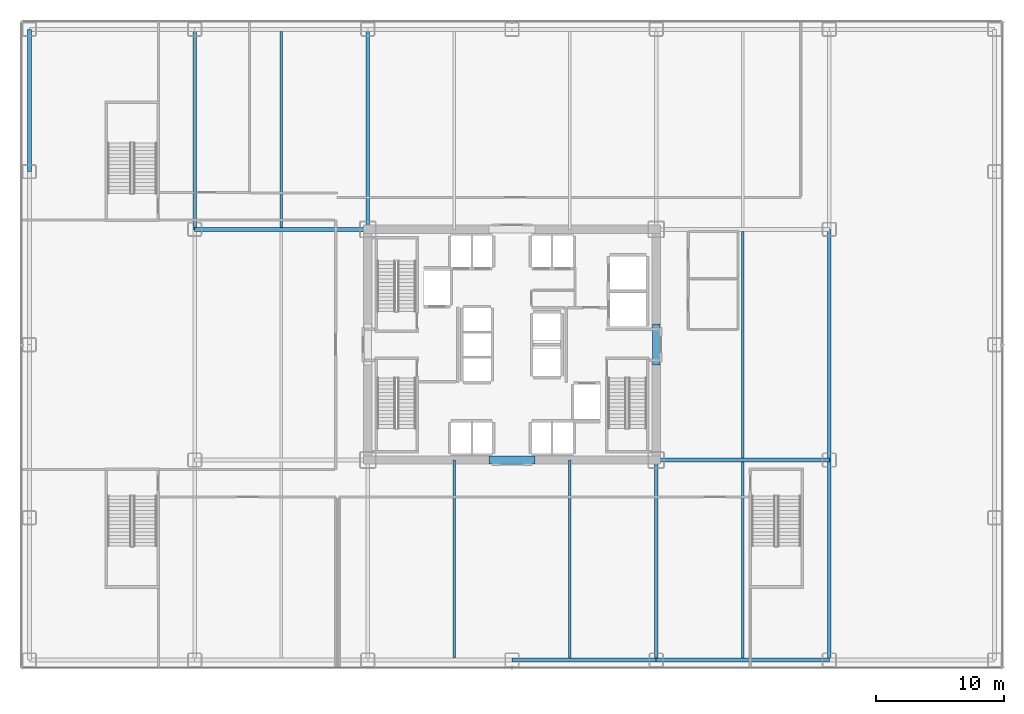
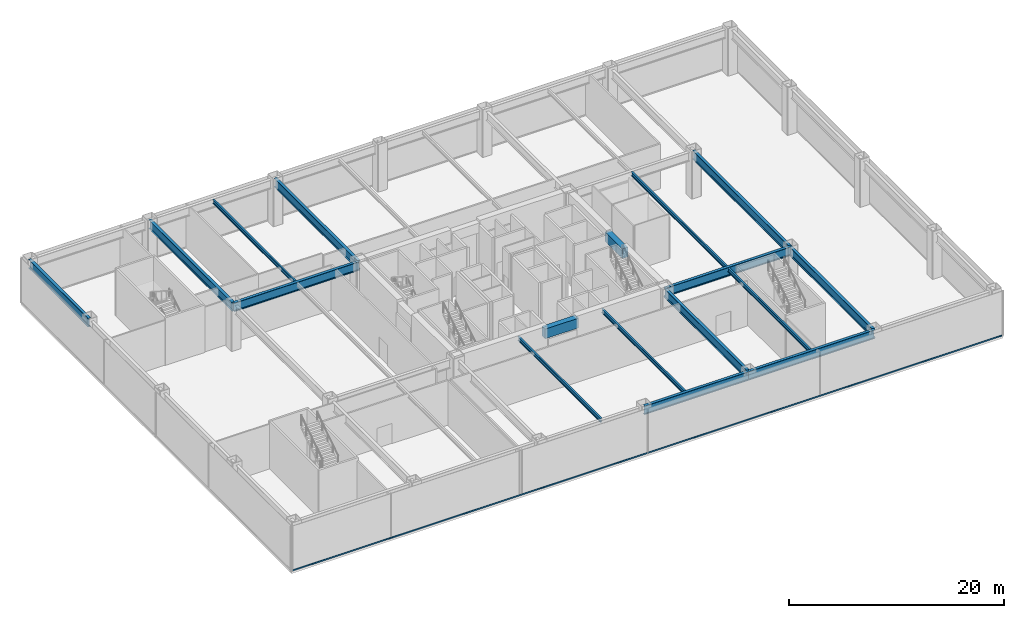
# One storey, part 7 of 24: 17 beams, 1 member, 1 element without a shape of its own.
"""IFC4 building model written with IfcOpenShell, lengths in metres."""

from ifc_helpers import new_model, si_unit, direction, frame, origin, origin_2d, place, context, subcontext, project, spatial, rectangle, hollow_rectangle, i_section, extrude, source, transform, mapped, material, layer, layer_set, material_profile, profile_set, type_object, element, aggregate, save


model = new_model("IFC4")

# Units and contexts
model_context = context("Model", 3, precision=1e-05, world=origin(), true_north=direction((0.0, 1.0)))
body_context = subcontext(model_context, "Body", "Model", "MODEL_VIEW")
ifc_project = project(units=[si_unit("LENGTHUNIT", "METRE"), si_unit("AREAUNIT", "SQUARE_METRE"), si_unit("VOLUMEUNIT", "CUBIC_METRE"), si_unit("PLANEANGLEUNIT", "RADIAN"), si_unit("MASSUNIT", "GRAM", prefix="KILO")], contexts=[model_context])

# Site, building, storey
site_placement = place(None, origin())
site = spatial("IfcSite", under=ifc_project, at=site_placement, CompositionType="ELEMENT")
building_placement = place(site_placement, origin())
building = spatial("IfcBuilding", under=site, at=building_placement, Name="Nefas-Gora Pilgrimage Tower", CompositionType="ELEMENT")
storey_placement = place(building_placement, frame((0.0, 0.0, 6.0)))
storey = spatial("IfcBuildingStorey", under=building, at=storey_placement, Name="L01", CompositionType="ELEMENT", Elevation=6.0)

# Beams
ifc_material_1 = material(Name="Concrete C60/75", Category="concrete")
ifc_material_profile_1 = material_profile(ifc_material_1, rectangle(XDim=0.60009765625, YDim=1.10009765625, at=origin_2d()), Name="RC 600x1100")
ifc_profile_set_1 = profile_set([ifc_material_profile_1], Name="Concrete C60/75")
beam_type_1 = type_object("IfcBeamType", Name="BM-LIN-RC1100", PredefinedType="LINTEL", material=ifc_profile_set_1)
shared_shape_1 = source(origin(), body_context, "Body", "SweptSolid", [
    extrude(rectangle(XDim=0.60009765625, YDim=1.10009765625, at=origin_2d()), origin(), (0.0, 0.0, 1.0), 3.60009765625),
])
beam_1_placement = place(storey_placement, frame((-1.800048828125, -9.0, 4.550048828125), z_axis=(1.0, 0.0, 0.0), x_axis=(0.0, 1.0, 0.0)))
element("IfcBeam", 1, at=beam_1_placement, inside=storey, type_object=beam_type_1, Name="L01 Core Coupling Lintel Beam S", PredefinedType="LINTEL", context=body_context, shape_type="MappedRepresentation", body=[
    mapped(shared_shape_1, transform((0.0, 0.0, 0.0), x_axis=(1.0, 0.0, 0.0), y_axis=(0.0, 1.0, 0.0), z_axis=(0.0, 0.0, 1.0), scale=1.0)),
])
shared_shape_2 = source(origin(), body_context, "Body", "SweptSolid", [
    extrude(rectangle(XDim=0.60009765625, YDim=1.10009765625, at=origin_2d()), origin(), (0.0, 0.0, 1.0), 3.2001953125),
])
beam_2_placement = place(storey_placement, frame((11.25, -1.60009765625, 4.550048828125), z_axis=(0.0, 1.0, 0.0), x_axis=(-1.0, 0.0, 0.0)))
element("IfcBeam", 2, at=beam_2_placement, inside=storey, type_object=beam_type_1, Name="L01 Core Coupling Lintel Beam E", PredefinedType="LINTEL", context=body_context, shape_type="MappedRepresentation", body=[
    mapped(shared_shape_2, transform((0.0, 0.0, 0.0), x_axis=(1.0, 0.0, 0.0), y_axis=(0.0, 1.0, 0.0), z_axis=(0.0, 0.0, 1.0), scale=1.0)),
])
ifc_material_2 = material(Name="Steel S355", Category="steel")
ifc_material_profile_2 = material_profile(ifc_material_2, i_section(OverallWidth=0.18994140625, OverallDepth=0.449951171875, WebThickness=0.009521484375, FlangeThickness=0.0146484375, FilletRadius=0.02099609375, at=origin_2d()), Name="IPE 450")
ifc_profile_set_2 = profile_set([ifc_material_profile_2], Name="Steel S355")
beam_type_2 = type_object("IfcBeamType", Name="BM-JST-IPE450", PredefinedType="JOIST", material=ifc_profile_set_2)
shared_shape_3 = source(origin(), body_context, "Body", "SweptSolid", [
    extrude(i_section(OverallWidth=0.18994140625, OverallDepth=0.449951171875, WebThickness=0.009521484375, FlangeThickness=0.0146484375, FilletRadius=0.02099609375, at=origin_2d()), origin(), (0.0, 0.0, 1.0), 17.68798828125),
])
beam_3_placement = place(storey_placement, frame((18.0, -8.843994140625, 4.875), z_axis=(0.0, 1.0, 0.0), x_axis=(-1.0, 0.0, 0.0)))
element("IfcBeam", 3, at=beam_3_placement, inside=storey, type_object=beam_type_2, Name="L01 J-01 beam", PredefinedType="JOIST", context=body_context, shape_type="MappedRepresentation", body=[
    mapped(shared_shape_3, transform((0.0, 0.0, 0.0), x_axis=(1.0, 0.0, 0.0), y_axis=(0.0, 1.0, 0.0), z_axis=(0.0, 0.0, 1.0), scale=1.0)),
])
shared_shape_4 = source(origin(), body_context, "Body", "SweptSolid", [
    extrude(i_section(OverallWidth=0.18994140625, OverallDepth=0.449951171875, WebThickness=0.009521484375, FlangeThickness=0.0146484375, FilletRadius=0.02099609375, at=origin_2d()), origin(), (0.0, 0.0, 1.0), 15.2880859375),
])
for number, where, z_axis, x_axis, name in (
    (4, (-18.0, 9.156005859375, 4.875), (0.0, 1.0, 0.0), (-1.0, 0.0, 0.0), "L01 J-01 beam"),
    (5, (18.0, -24.444091796875, 4.875), (0.0, 1.0, 0.0), (-1.0, 0.0, 0.0), "L01 J-01 beam"),
):
    element("IfcBeam", number, at=place(storey_placement, frame(where, z_axis=z_axis, x_axis=x_axis)), inside=storey, type_object=beam_type_2, Name=name, PredefinedType="JOIST", context=body_context, shape_type="MappedRepresentation", body=[
        mapped(shared_shape_4, transform((0.0, 0.0, 0.0), x_axis=(1.0, 0.0, 0.0), y_axis=(0.0, 1.0, 0.0), z_axis=(0.0, 0.0, 1.0), scale=1.0)),
    ])
shared_shape_5 = source(origin(), body_context, "Body", "SweptSolid", [
    extrude(i_section(OverallWidth=0.18994140625, OverallDepth=0.449951171875, WebThickness=0.009521484375, FlangeThickness=0.0146484375, FilletRadius=0.02099609375, at=origin_2d()), origin(), (0.0, 0.0, 1.0), 15.444091796875),
])
for number, where, z_axis, x_axis, name in (
    (6, (-4.5, -24.444091796875, 4.875), (0.0, 1.0, 0.0), (-1.0, 0.0, 0.0), "L01 J-01 beam"),
    (7, (4.5, -24.444091796875, 4.875), (0.0, 1.0, 0.0), (-1.0, 0.0, 0.0), "L01 J-01 beam"),
):
    element("IfcBeam", number, at=place(storey_placement, frame(where, z_axis=z_axis, x_axis=x_axis)), inside=storey, type_object=beam_type_2, Name=name, PredefinedType="JOIST", context=body_context, shape_type="MappedRepresentation", body=[
        mapped(shared_shape_5, transform((0.0, 0.0, 0.0), x_axis=(1.0, 0.0, 0.0), y_axis=(0.0, 1.0, 0.0), z_axis=(0.0, 0.0, 1.0), scale=1.0)),
    ])
ifc_material_3 = material(Name="Steel S460", Category="steel")
ifc_material_profile_3 = material_profile(ifc_material_3, i_section(OverallWidth=0.300048828125, OverallDepth=1.0, WebThickness=0.01904296875, FlangeThickness=0.035888671875, FilletRadius=0.030029296875, at=origin_2d()), Name="HEB 1000")
ifc_profile_set_3 = profile_set([ifc_material_profile_3], Name="Steel S460")
beam_type_3 = type_object("IfcBeamType", Name="BM-POD-HEB1000E", PredefinedType="BEAM", material=ifc_profile_set_3)
shared_shape_6 = source(origin(), body_context, "Body", "SweptSolid", [
    extrude(i_section(OverallWidth=0.300048828125, OverallDepth=1.0, WebThickness=0.01904296875, FlangeThickness=0.035888671875, FilletRadius=0.030029296875, at=origin_2d()), origin(), (0.0, 0.0, 1.0), 13.5),
])
beam_4_placement = place(storey_placement, frame((11.25, -24.60009765625, 4.60009765625), z_axis=(1.0, 0.0, 0.0), x_axis=(0.0, 1.0, 0.0)))
element("IfcBeam", 8, at=beam_4_placement, inside=storey, type_object=beam_type_3, Name="L01 PG-01E beam", PredefinedType="BEAM", context=body_context, shape_type="MappedRepresentation", body=[
    mapped(shared_shape_6, transform((0.0, 0.0, 0.0), x_axis=(1.0, 0.0, 0.0), y_axis=(0.0, 1.0, 0.0), z_axis=(0.0, 0.0, 1.0), scale=1.0)),
])
shared_shape_7 = source(origin(), body_context, "Body", "SweptSolid", [
    extrude(i_section(OverallWidth=0.300048828125, OverallDepth=1.0, WebThickness=0.01904296875, FlangeThickness=0.035888671875, FilletRadius=0.030029296875, at=origin_2d()), origin(), (0.0, 0.0, 1.0), 11.25),
])
beam_5_placement = place(storey_placement, frame((0.0, -24.60009765625, 4.60009765625), z_axis=(1.0, 0.0, 0.0), x_axis=(0.0, 1.0, 0.0)))
element("IfcBeam", 9, at=beam_5_placement, inside=storey, type_object=beam_type_3, Name="L01 PG-01E beam", PredefinedType="BEAM", context=body_context, shape_type="MappedRepresentation", body=[
    mapped(shared_shape_7, transform((0.0, 0.0, 0.0), x_axis=(1.0, 0.0, 0.0), y_axis=(0.0, 1.0, 0.0), z_axis=(0.0, 0.0, 1.0), scale=1.0)),
])
shared_shape_8 = source(origin(), body_context, "Body", "SweptSolid", [
    extrude(i_section(OverallWidth=0.300048828125, OverallDepth=1.0, WebThickness=0.01904296875, FlangeThickness=0.035888671875, FilletRadius=0.030029296875, at=origin_2d()), origin(), (0.0, 0.0, 1.0), 11.10009765625),
])
beam_6_placement = place(storey_placement, frame((-37.64990234375, 13.5, 4.60009765625), z_axis=(0.0, 1.0, 0.0), x_axis=(-1.0, 0.0, 0.0)))
element("IfcBeam", 10, at=beam_6_placement, inside=storey, type_object=beam_type_3, Name="L01 PG-01E beam", PredefinedType="BEAM", context=body_context, shape_type="MappedRepresentation", body=[
    mapped(shared_shape_8, transform((0.0, 0.0, 0.0), x_axis=(1.0, 0.0, 0.0), y_axis=(0.0, 1.0, 0.0), z_axis=(0.0, 0.0, 1.0), scale=1.0)),
])
ifc_material_profile_4 = material_profile(ifc_material_3, i_section(OverallWidth=0.300048828125, OverallDepth=1.0, WebThickness=0.01904296875, FlangeThickness=0.035888671875, FilletRadius=0.030029296875, at=origin_2d()), Name="HEB 1000")
ifc_profile_set_4 = profile_set([ifc_material_profile_4], Name="Steel S460")
beam_type_4 = type_object("IfcBeamType", Name="BM-POD-HEB1000", PredefinedType="BEAM", material=ifc_profile_set_4)
shared_shape_9 = source(origin(), body_context, "Body", "SweptSolid", [
    extrude(i_section(OverallWidth=0.300048828125, OverallDepth=1.0, WebThickness=0.01904296875, FlangeThickness=0.035888671875, FilletRadius=0.030029296875, at=origin_2d()), origin(), (0.0, 0.0, 1.0), 13.5),
])
for number, where, z_axis, x_axis, name in (
    (11, (11.25, -9.0, 4.60009765625), (1.0, 0.0, 0.0), (0.0, 1.0, 0.0), "L01 PG-01 beam"),
    (12, (-24.75, 9.0, 4.60009765625), (1.0, 0.0, 0.0), (0.0, 1.0, 0.0), "L01 PG-01 beam"),
):
    element("IfcBeam", number, at=place(storey_placement, frame(where, z_axis=z_axis, x_axis=x_axis)), inside=storey, type_object=beam_type_4, Name=name, PredefinedType="BEAM", context=body_context, shape_type="MappedRepresentation", body=[
        mapped(shared_shape_9, transform((0.0, 0.0, 0.0), x_axis=(1.0, 0.0, 0.0), y_axis=(0.0, 1.0, 0.0), z_axis=(0.0, 0.0, 1.0), scale=1.0)),
    ])
shared_shape_10 = source(origin(), body_context, "Body", "SweptSolid", [
    extrude(i_section(OverallWidth=0.300048828125, OverallDepth=1.0, WebThickness=0.01904296875, FlangeThickness=0.035888671875, FilletRadius=0.030029296875, at=origin_2d()), origin(), (0.0, 0.0, 1.0), 15.60009765625),
])
for number, where, z_axis, x_axis, name in (
    (13, (-24.75, 9.0, 4.60009765625), (0.0, 1.0, 0.0), (-1.0, 0.0, 0.0), "L01 PG-01 beam"),
    (14, (-11.25, 9.0, 4.60009765625), (0.0, 1.0, 0.0), (-1.0, 0.0, 0.0), "L01 PG-01 beam"),
    (15, (11.25, -24.60009765625, 4.60009765625), (0.0, 1.0, 0.0), (-1.0, 0.0, 0.0), "L01 PG-01 beam"),
    (16, (24.75, -24.60009765625, 4.60009765625), (0.0, 1.0, 0.0), (-1.0, 0.0, 0.0), "L01 PG-01 beam"),
):
    element("IfcBeam", number, at=place(storey_placement, frame(where, z_axis=z_axis, x_axis=x_axis)), inside=storey, type_object=beam_type_4, Name=name, PredefinedType="BEAM", context=body_context, shape_type="MappedRepresentation", body=[
        mapped(shared_shape_10, transform((0.0, 0.0, 0.0), x_axis=(1.0, 0.0, 0.0), y_axis=(0.0, 1.0, 0.0), z_axis=(0.0, 0.0, 1.0), scale=1.0)),
    ])
shared_shape_11 = source(origin(), body_context, "Body", "SweptSolid", [
    extrude(i_section(OverallWidth=0.300048828125, OverallDepth=1.0, WebThickness=0.01904296875, FlangeThickness=0.035888671875, FilletRadius=0.030029296875, at=origin_2d()), origin(), (0.0, 0.0, 1.0), 18.0),
])
beam_7_placement = place(storey_placement, frame((24.75, -9.0, 4.60009765625), z_axis=(0.0, 1.0, 0.0), x_axis=(-1.0, 0.0, 0.0)))
element("IfcBeam", 17, at=beam_7_placement, inside=storey, type_object=beam_type_4, Name="L01 PG-01 beam", PredefinedType="BEAM", context=body_context, shape_type="MappedRepresentation", body=[
    mapped(shared_shape_11, transform((0.0, 0.0, 0.0), x_axis=(1.0, 0.0, 0.0), y_axis=(0.0, 1.0, 0.0), z_axis=(0.0, 0.0, 1.0), scale=1.0)),
])

# Curtain wall, member
ifc_material_4 = material(Name="Dark ceramic-fritted solar-control aluminium-glass curtain wall", Category="aluminium")
ifc_layer = layer(ifc_material_4, 0.219970703125)
ifc_layer_set = layer_set([ifc_layer], Name="Dark ceramic-fritted solar-control aluminium-glass curtain wall")
curtain_wall_type = type_object("IfcCurtainWallType", Name="CW-SYS-1", PredefinedType="NOTDEFINED", material=ifc_layer_set)
curtain_wall_placement = place(storey_placement, origin())
curtain_wall = element("IfcCurtainWall", 18, at=curtain_wall_placement, inside=storey, type_object=curtain_wall_type, Name="L01 Unitised Curtain Wall CW1", PredefinedType="NOTDEFINED")
ifc_material_5 = material(Name="Anodised architectural aluminium", Category="aluminium")
ifc_material_profile_5 = material_profile(ifc_material_5, hollow_rectangle(XDim=0.080078125, YDim=0.159912109375, WallThickness=0.00439453125, InnerFilletRadius=0.00439453125, OuterFilletRadius=0.009033203125, at=origin_2d()), Name="ALU TRANSOM 80x160")
ifc_profile_set_5 = profile_set([ifc_material_profile_5], Name="Anodised architectural aluminium")
member_type = type_object("IfcMemberType", Name="CWM-TRN-1", PredefinedType="USERDEFINED", material=ifc_profile_set_5)
shared_shape_12 = source(origin(), body_context, "Body", "SweptSolid", [
    extrude(hollow_rectangle(XDim=0.080078125, YDim=0.159912109375, WallThickness=0.00439453125, InnerFilletRadius=0.00439453125, OuterFilletRadius=0.009033203125, at=origin_2d()), origin(), (0.0, 0.0, 1.0), 76.31982421875),
])
member_placement = place(storey_placement, frame((-38.159912109375, -25.199951171875, 0.050048828125), z_axis=(1.0, 0.0, 0.0), x_axis=(0.0, 1.0, 0.0)))
member = element("IfcMember", 19, at=member_placement, type_object=member_type, Name="CW1 Spandrel Transom", ObjectType="TRANSOM", PredefinedType="USERDEFINED", context=body_context, shape_type="MappedRepresentation", body=[
    mapped(shared_shape_12, transform((0.0, 0.0, 0.0), x_axis=(1.0, 0.0, 0.0), y_axis=(0.0, 1.0, 0.0), z_axis=(0.0, 0.0, 1.0), scale=1.0)),
])
aggregate(curtain_wall, [member])

save(model, "model.ifc")
